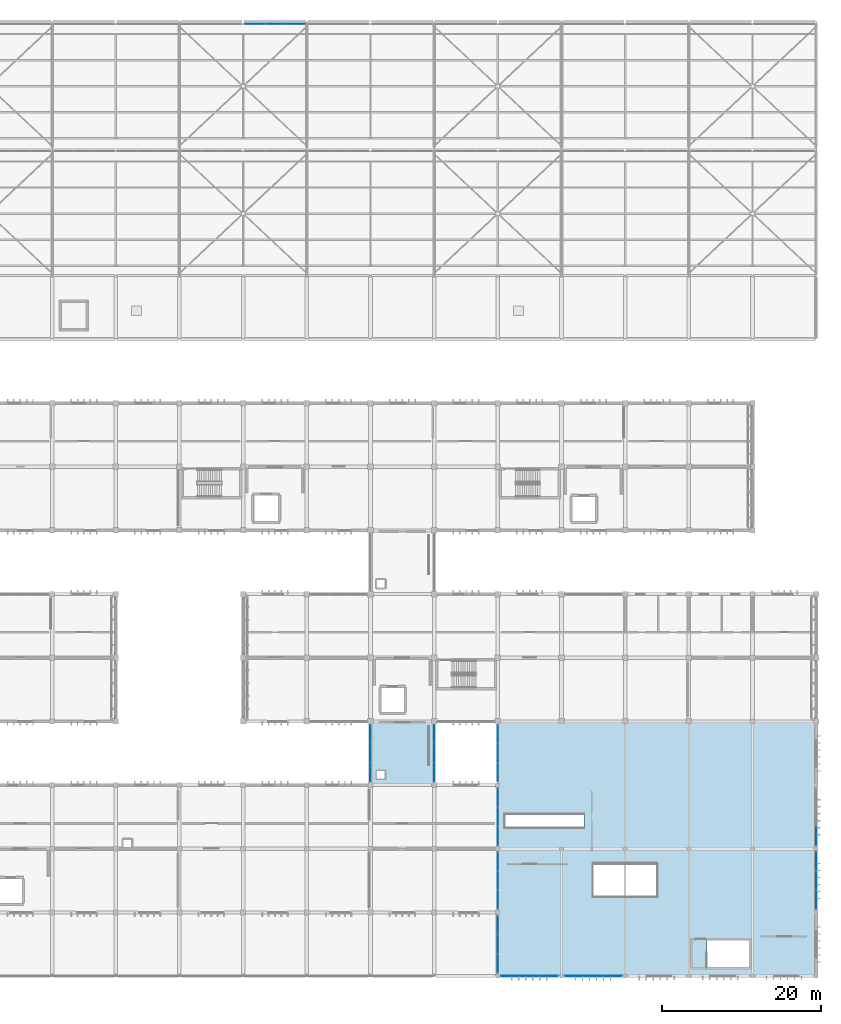
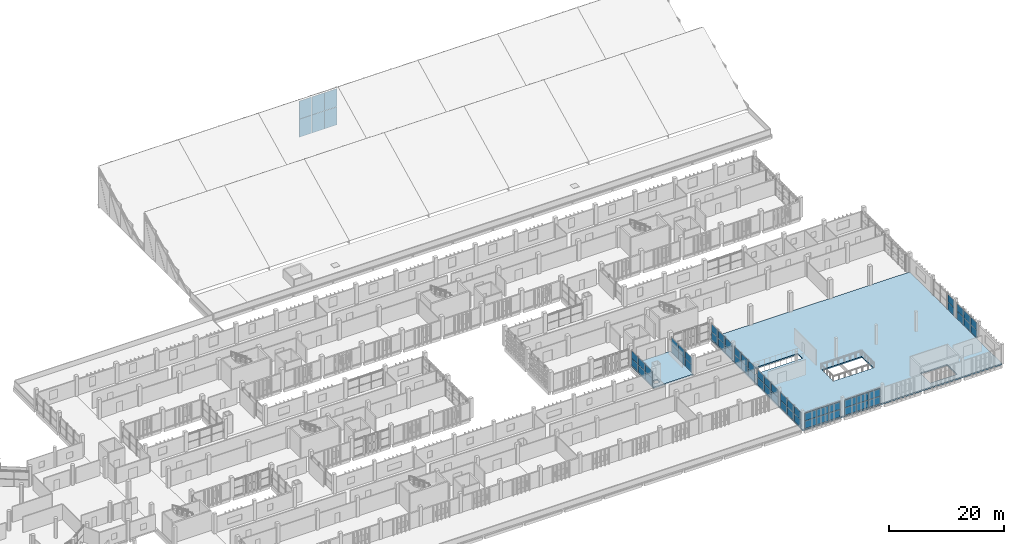
# One storey, part 95 of 137: 62 plates, 2 slabs, 11 elements without a shape of their own.
"""IFC4 building model written with IfcOpenShell, lengths in metres."""

from ifc_helpers import new_model, si_unit, direction, frame, origin, origin_2d, place, context, subcontext, project, spatial, polyline, rectangle, outline, extrude, material, layer, layer_set, type_object, element, aggregate, save


model = new_model("IFC4")

# Units and contexts
model_context = context("Model", 3, precision=1e-05, world=origin(), true_north=direction((0.0, 1.0)))
body_context = subcontext(model_context, "Body", "Model", "MODEL_VIEW")
ifc_project = project(units=[si_unit("LENGTHUNIT", "METRE"), si_unit("AREAUNIT", "SQUARE_METRE"), si_unit("VOLUMEUNIT", "CUBIC_METRE"), si_unit("PLANEANGLEUNIT", "RADIAN"), si_unit("MASSUNIT", "GRAM", prefix="KILO")], contexts=[model_context])

# Site, building, storey
site_placement = place(None, origin())
site = spatial("IfcSite", under=ifc_project, at=site_placement, CompositionType="ELEMENT")
building_placement = place(site_placement, origin())
building = spatial("IfcBuilding", under=site, at=building_placement, Name="Jelvoka-Kovrelna Polytechnic", CompositionType="ELEMENT")
storey_placement = place(building_placement, frame((0.0, 0.0, 9.60009765625)))
storey = spatial("IfcBuildingStorey", under=building, at=storey_placement, Name="L03", CompositionType="ELEMENT", Elevation=9.60009765625)

# Curtain wall, plates
ifc_material_1 = material(Name="Anodised aluminium 6063-T6", Category="aluminium")
ifc_layer_1 = layer(ifc_material_1, 0.199951171875)
ifc_layer_set_1 = layer_set([ifc_layer_1], Name="Anodised aluminium 6063-T6")
curtain_wall_type_1 = type_object("IfcCurtainWallType", Name="CW_Clerestory", PredefinedType="NOTDEFINED", material=ifc_layer_set_1)
curtain_wall_1_placement = place(storey_placement, origin())
curtain_wall_1 = element("IfcCurtainWall", 1, at=curtain_wall_1_placement, inside=storey, type_object=curtain_wall_type_1, Name="L03 glazed curtain wall 194", PredefinedType="NOTDEFINED")
ifc_material_2 = material(Name="Solar-control double glazing", Category="glass")
ifc_layer_2 = layer(ifc_material_2, 0.035888671875)
ifc_layer_set_2 = layer_set([ifc_layer_2], Name="Solar-control double glazing")
plate_type_1 = type_object("IfcPlateType", Name="Panel_GP-03", PredefinedType="CURTAIN_PANEL", material=ifc_layer_set_2)
plate_1_placement = place(storey_placement, frame((129.450927734375, 119.64990234375, 0.511962890625), z_axis=(0.0, 0.0, 1.0), x_axis=(1.0, 0.0, 0.0)))
plate_1 = element("IfcPlate", 2, at=plate_1_placement, type_object=plate_type_1, Name="CW-03 panel 1.1", PredefinedType="CURTAIN_PANEL", context=body_context, shape_type="SweptSolid", body=[
    extrude(rectangle(XDim=2.477783203125, YDim=0.035888671875, at=origin_2d()), origin(), (0.0, 0.0, 1.0), 3.81103515625),
])
plate_2_placement = place(storey_placement, frame((129.450927734375, 119.64990234375, 4.376953125), z_axis=(0.0, 0.0, 1.0), x_axis=(1.0, 0.0, 0.0)))
plate_2 = element("IfcPlate", 3, at=plate_2_placement, type_object=plate_type_1, Name="CW-03 panel 1.2", PredefinedType="CURTAIN_PANEL", context=body_context, shape_type="SweptSolid", body=[
    extrude(rectangle(XDim=2.477783203125, YDim=0.035888671875, at=origin_2d()), origin(), (0.0, 0.0, 1.0), 3.81103515625),
])
plate_3_placement = place(storey_placement, frame((132.0, 119.64990234375, 0.511962890625), z_axis=(0.0, 0.0, 1.0), x_axis=(1.0, 0.0, 0.0)))
plate_3 = element("IfcPlate", 4, at=plate_3_placement, type_object=plate_type_1, Name="CW-03 panel 2.1", PredefinedType="CURTAIN_PANEL", context=body_context, shape_type="SweptSolid", body=[
    extrude(rectangle(XDim=2.5126953125, YDim=0.035888671875, at=origin_2d()), origin(), (0.0, 0.0, 1.0), 3.81103515625),
])
plate_4_placement = place(storey_placement, frame((132.0, 119.64990234375, 4.376953125), z_axis=(0.0, 0.0, 1.0), x_axis=(1.0, 0.0, 0.0)))
plate_4 = element("IfcPlate", 5, at=plate_4_placement, type_object=plate_type_1, Name="CW-03 panel 2.2", PredefinedType="CURTAIN_PANEL", context=body_context, shape_type="SweptSolid", body=[
    extrude(rectangle(XDim=2.5126953125, YDim=0.035888671875, at=origin_2d()), origin(), (0.0, 0.0, 1.0), 3.81103515625),
])
plate_5_placement = place(storey_placement, frame((134.549072265625, 119.64990234375, 0.511962890625), z_axis=(0.0, 0.0, 1.0), x_axis=(1.0, 0.0, 0.0)))
plate_5 = element("IfcPlate", 6, at=plate_5_placement, type_object=plate_type_1, Name="CW-03 panel 3.1", PredefinedType="CURTAIN_PANEL", context=body_context, shape_type="SweptSolid", body=[
    extrude(rectangle(XDim=2.477783203125, YDim=0.035888671875, at=origin_2d()), origin(), (0.0, 0.0, 1.0), 3.81103515625),
])
plate_6_placement = place(storey_placement, frame((134.549072265625, 119.64990234375, 4.376953125), z_axis=(0.0, 0.0, 1.0), x_axis=(1.0, 0.0, 0.0)))
plate_6 = element("IfcPlate", 7, at=plate_6_placement, type_object=plate_type_1, Name="CW-03 panel 3.2", PredefinedType="CURTAIN_PANEL", context=body_context, shape_type="SweptSolid", body=[
    extrude(rectangle(XDim=2.477783203125, YDim=0.035888671875, at=origin_2d()), origin(), (0.0, 0.0, 1.0), 3.81103515625),
])
aggregate(curtain_wall_1, [plate_1, plate_2, plate_3, plate_4, plate_5, plate_6])

ifc_material_3 = material(Name="Anodised aluminium 6063-T6", Category="aluminium")
ifc_layer_3 = layer(ifc_material_3, 0.159912109375)
ifc_layer_set_3 = layer_set([ifc_layer_3], Name="Anodised aluminium 6063-T6")
curtain_wall_type_2 = type_object("IfcCurtainWallType", Name="CW_LinkBridge", PredefinedType="NOTDEFINED", material=ifc_layer_set_3)
curtain_wall_2_placement = place(storey_placement, origin())
curtain_wall_2 = element("IfcCurtainWall", 8, at=curtain_wall_2_placement, inside=storey, type_object=curtain_wall_type_2, Name="L03 glazed curtain wall 126", PredefinedType="NOTDEFINED")
ifc_material_4 = material(Name="Solar-control double glazing", Category="glass")
ifc_layer_4 = layer(ifc_material_4, 0.02392578125)
ifc_layer_set_4 = layer_set([ifc_layer_4], Name="Solar-control double glazing")
plate_type_2 = type_object("IfcPlateType", Name="Panel_GP-04", PredefinedType="CURTAIN_PANEL", material=ifc_layer_set_4)
plate_7_placement = place(storey_placement, frame((144.0, 25.614990234375, 0.0517578125), z_axis=(0.0, 0.0, 1.0), x_axis=(0.0, 1.0, 0.0)))
plate_7 = element("IfcPlate", 9, at=plate_7_placement, type_object=plate_type_2, Name="CW-04 panel 1.1", PredefinedType="CURTAIN_PANEL", context=body_context, shape_type="SweptSolid", body=[
    extrude(rectangle(XDim=2.326171875, YDim=0.02392578125, at=origin_2d()), origin(), (0.0, 0.0, 1.0), 1.53857421875),
])
plate_8_placement = place(storey_placement, frame((144.0, 25.614990234375, 1.63427734375), z_axis=(0.0, 0.0, 1.0), x_axis=(0.0, 1.0, 0.0)))
plate_8 = element("IfcPlate", 10, at=plate_8_placement, type_object=plate_type_2, Name="CW-04 panel 1.2", PredefinedType="CURTAIN_PANEL", context=body_context, shape_type="SweptSolid", body=[
    extrude(rectangle(XDim=2.326171875, YDim=0.02392578125, at=origin_2d()), origin(), (0.0, 0.0, 1.0), 1.53857421875),
])
plate_9_placement = place(storey_placement, frame((144.0, 28.0, 0.0517578125), z_axis=(0.0, 0.0, 1.0), x_axis=(0.0, 1.0, 0.0)))
plate_9 = element("IfcPlate", 11, at=plate_9_placement, type_object=plate_type_2, Name="CW-04 panel 2.1", PredefinedType="CURTAIN_PANEL", context=body_context, shape_type="SweptSolid", body=[
    extrude(rectangle(XDim=2.356201171875, YDim=0.02392578125, at=origin_2d()), origin(), (0.0, 0.0, 1.0), 1.53857421875),
])
plate_10_placement = place(storey_placement, frame((144.0, 28.0, 1.63427734375), z_axis=(0.0, 0.0, 1.0), x_axis=(0.0, 1.0, 0.0)))
plate_10 = element("IfcPlate", 12, at=plate_10_placement, type_object=plate_type_2, Name="CW-04 panel 2.2", PredefinedType="CURTAIN_PANEL", context=body_context, shape_type="SweptSolid", body=[
    extrude(rectangle(XDim=2.356201171875, YDim=0.02392578125, at=origin_2d()), origin(), (0.0, 0.0, 1.0), 1.53857421875),
])
plate_11_placement = place(storey_placement, frame((144.0, 30.385009765625, 0.0517578125), z_axis=(0.0, 0.0, 1.0), x_axis=(0.0, 1.0, 0.0)))
plate_11 = element("IfcPlate", 13, at=plate_11_placement, type_object=plate_type_2, Name="CW-04 panel 3.1", PredefinedType="CURTAIN_PANEL", context=body_context, shape_type="SweptSolid", body=[
    extrude(rectangle(XDim=2.326171875, YDim=0.02392578125, at=origin_2d()), origin(), (0.0, 0.0, 1.0), 1.53857421875),
])
plate_12_placement = place(storey_placement, frame((144.0, 30.385009765625, 1.63427734375), z_axis=(0.0, 0.0, 1.0), x_axis=(0.0, 1.0, 0.0)))
plate_12 = element("IfcPlate", 14, at=plate_12_placement, type_object=plate_type_2, Name="CW-04 panel 3.2", PredefinedType="CURTAIN_PANEL", context=body_context, shape_type="SweptSolid", body=[
    extrude(rectangle(XDim=2.326171875, YDim=0.02392578125, at=origin_2d()), origin(), (0.0, 0.0, 1.0), 1.53857421875),
])
aggregate(curtain_wall_2, [plate_7, plate_8, plate_9, plate_10, plate_11, plate_12])

curtain_wall_3_placement = place(storey_placement, origin())
curtain_wall_3 = element("IfcCurtainWall", 15, at=curtain_wall_3_placement, inside=storey, type_object=curtain_wall_type_2, Name="L03 glazed curtain wall 127", PredefinedType="NOTDEFINED")
plate_13_placement = place(storey_placement, frame((152.0, 30.385009765625, 0.0517578125), z_axis=(0.0, 0.0, 1.0), x_axis=(0.0, -1.0, 0.0)))
plate_13 = element("IfcPlate", 16, at=plate_13_placement, type_object=plate_type_2, Name="CW-04 panel 1.1", PredefinedType="CURTAIN_PANEL", context=body_context, shape_type="SweptSolid", body=[
    extrude(rectangle(XDim=2.326171875, YDim=0.02392578125, at=origin_2d()), origin(), (0.0, 0.0, 1.0), 1.53857421875),
])
plate_14_placement = place(storey_placement, frame((152.0, 30.385009765625, 1.63427734375), z_axis=(0.0, 0.0, 1.0), x_axis=(0.0, -1.0, 0.0)))
plate_14 = element("IfcPlate", 17, at=plate_14_placement, type_object=plate_type_2, Name="CW-04 panel 1.2", PredefinedType="CURTAIN_PANEL", context=body_context, shape_type="SweptSolid", body=[
    extrude(rectangle(XDim=2.326171875, YDim=0.02392578125, at=origin_2d()), origin(), (0.0, 0.0, 1.0), 1.53857421875),
])
plate_15_placement = place(storey_placement, frame((152.0, 28.0, 0.0517578125), z_axis=(0.0, 0.0, 1.0), x_axis=(0.0, -1.0, 0.0)))
plate_15 = element("IfcPlate", 18, at=plate_15_placement, type_object=plate_type_2, Name="CW-04 panel 2.1", PredefinedType="CURTAIN_PANEL", context=body_context, shape_type="SweptSolid", body=[
    extrude(rectangle(XDim=2.356201171875, YDim=0.02392578125, at=origin_2d()), origin(), (0.0, 0.0, 1.0), 1.53857421875),
])
plate_16_placement = place(storey_placement, frame((152.0, 28.0, 1.63427734375), z_axis=(0.0, 0.0, 1.0), x_axis=(0.0, -1.0, 0.0)))
plate_16 = element("IfcPlate", 19, at=plate_16_placement, type_object=plate_type_2, Name="CW-04 panel 2.2", PredefinedType="CURTAIN_PANEL", context=body_context, shape_type="SweptSolid", body=[
    extrude(rectangle(XDim=2.356201171875, YDim=0.02392578125, at=origin_2d()), origin(), (0.0, 0.0, 1.0), 1.53857421875),
])
plate_17_placement = place(storey_placement, frame((152.0, 25.614990234375, 0.0517578125), z_axis=(0.0, 0.0, 1.0), x_axis=(0.0, -1.0, 0.0)))
plate_17 = element("IfcPlate", 20, at=plate_17_placement, type_object=plate_type_2, Name="CW-04 panel 3.1", PredefinedType="CURTAIN_PANEL", context=body_context, shape_type="SweptSolid", body=[
    extrude(rectangle(XDim=2.326171875, YDim=0.02392578125, at=origin_2d()), origin(), (0.0, 0.0, 1.0), 1.53857421875),
])
plate_18_placement = place(storey_placement, frame((152.0, 25.614990234375, 1.63427734375), z_axis=(0.0, 0.0, 1.0), x_axis=(0.0, -1.0, 0.0)))
plate_18 = element("IfcPlate", 21, at=plate_18_placement, type_object=plate_type_2, Name="CW-04 panel 3.2", PredefinedType="CURTAIN_PANEL", context=body_context, shape_type="SweptSolid", body=[
    extrude(rectangle(XDim=2.326171875, YDim=0.02392578125, at=origin_2d()), origin(), (0.0, 0.0, 1.0), 1.53857421875),
])
aggregate(curtain_wall_3, [plate_13, plate_14, plate_15, plate_16, plate_17, plate_18])

ifc_material_5 = material(Name="Anodised aluminium 6063-T6", Category="aluminium")
ifc_layer_5 = layer(ifc_material_5, 0.179931640625)
ifc_layer_set_5 = layer_set([ifc_layer_5], Name="Anodised aluminium 6063-T6")
curtain_wall_type_3 = type_object("IfcCurtainWallType", Name="CW_Pavilion", PredefinedType="NOTDEFINED", material=ifc_layer_set_5)
curtain_wall_4_placement = place(storey_placement, origin())
curtain_wall_4 = element("IfcCurtainWall", 22, at=curtain_wall_4_placement, inside=storey, type_object=curtain_wall_type_3, Name="L03 glazed curtain wall 290", PredefinedType="NOTDEFINED")
ifc_material_6 = material(Name="Solar-control double glazing", Category="glass")
ifc_layer_6 = layer(ifc_material_6, 0.030029296875)
ifc_layer_set_6 = layer_set([ifc_layer_6], Name="Solar-control double glazing")
plate_type_3 = type_object("IfcPlateType", Name="Panel_GP-05", PredefinedType="CURTAIN_PANEL", material=ifc_layer_set_6)
plate_19_placement = place(storey_placement, frame((166.3837890625, 0.0, 0.056884765625), z_axis=(0.0, 0.0, 1.0), x_axis=(-1.0, 0.0, 0.0)))
plate_19 = element("IfcPlate", 23, at=plate_19_placement, type_object=plate_type_3, Name="CW-05 panel 1.1", PredefinedType="CURTAIN_PANEL", context=body_context, shape_type="SweptSolid", body=[
    extrude(rectangle(XDim=2.318603515625, YDim=0.030029296875, at=origin_2d()), origin(), (0.0, 0.0, 1.0), 1.593505859375),
])
plate_20_placement = place(storey_placement, frame((166.3837890625, 0.0, 1.699462890625), z_axis=(0.0, 0.0, 1.0), x_axis=(-1.0, 0.0, 0.0)))
plate_20 = element("IfcPlate", 24, at=plate_20_placement, type_object=plate_type_3, Name="CW-05 panel 1.2", PredefinedType="CURTAIN_PANEL", context=body_context, shape_type="SweptSolid", body=[
    extrude(rectangle(XDim=2.318603515625, YDim=0.030029296875, at=origin_2d()), origin(), (0.0, 0.0, 1.0), 1.593505859375),
])
plate_21_placement = place(storey_placement, frame((164.0, 0.0, 0.056884765625), z_axis=(0.0, 0.0, 1.0), x_axis=(-1.0, 0.0, 0.0)))
plate_21 = element("IfcPlate", 25, at=plate_21_placement, type_object=plate_type_3, Name="CW-05 panel 2.1", PredefinedType="CURTAIN_PANEL", context=body_context, shape_type="SweptSolid", body=[
    extrude(rectangle(XDim=2.35107421875, YDim=0.030029296875, at=origin_2d()), origin(), (0.0, 0.0, 1.0), 1.593505859375),
])
plate_22_placement = place(storey_placement, frame((164.0, 0.0, 1.699462890625), z_axis=(0.0, 0.0, 1.0), x_axis=(-1.0, 0.0, 0.0)))
plate_22 = element("IfcPlate", 26, at=plate_22_placement, type_object=plate_type_3, Name="CW-05 panel 2.2", PredefinedType="CURTAIN_PANEL", context=body_context, shape_type="SweptSolid", body=[
    extrude(rectangle(XDim=2.35107421875, YDim=0.030029296875, at=origin_2d()), origin(), (0.0, 0.0, 1.0), 1.593505859375),
])
plate_23_placement = place(storey_placement, frame((161.6162109375, 0.0, 0.056884765625), z_axis=(0.0, 0.0, 1.0), x_axis=(-1.0, 0.0, 0.0)))
plate_23 = element("IfcPlate", 27, at=plate_23_placement, type_object=plate_type_3, Name="CW-05 panel 3.1", PredefinedType="CURTAIN_PANEL", context=body_context, shape_type="SweptSolid", body=[
    extrude(rectangle(XDim=2.318603515625, YDim=0.030029296875, at=origin_2d()), origin(), (0.0, 0.0, 1.0), 1.593505859375),
])
plate_24_placement = place(storey_placement, frame((161.6162109375, 0.0, 1.699462890625), z_axis=(0.0, 0.0, 1.0), x_axis=(-1.0, 0.0, 0.0)))
plate_24 = element("IfcPlate", 28, at=plate_24_placement, type_object=plate_type_3, Name="CW-05 panel 3.2", PredefinedType="CURTAIN_PANEL", context=body_context, shape_type="SweptSolid", body=[
    extrude(rectangle(XDim=2.318603515625, YDim=0.030029296875, at=origin_2d()), origin(), (0.0, 0.0, 1.0), 1.593505859375),
])
aggregate(curtain_wall_4, [plate_19, plate_20, plate_21, plate_22, plate_23, plate_24])

curtain_wall_5_placement = place(storey_placement, origin())
curtain_wall_5 = element("IfcCurtainWall", 29, at=curtain_wall_5_placement, inside=storey, type_object=curtain_wall_type_3, Name="L03 glazed curtain wall 291", PredefinedType="NOTDEFINED")
plate_25_placement = place(storey_placement, frame((174.3837890625, 0.0, 0.056884765625), z_axis=(0.0, 0.0, 1.0), x_axis=(-1.0, 0.0, 0.0)))
plate_25 = element("IfcPlate", 30, at=plate_25_placement, type_object=plate_type_3, Name="CW-05 panel 1.1", PredefinedType="CURTAIN_PANEL", context=body_context, shape_type="SweptSolid", body=[
    extrude(rectangle(XDim=2.318603515625, YDim=0.030029296875, at=origin_2d()), origin(), (0.0, 0.0, 1.0), 1.593505859375),
])
plate_26_placement = place(storey_placement, frame((174.3837890625, 0.0, 1.699462890625), z_axis=(0.0, 0.0, 1.0), x_axis=(-1.0, 0.0, 0.0)))
plate_26 = element("IfcPlate", 31, at=plate_26_placement, type_object=plate_type_3, Name="CW-05 panel 1.2", PredefinedType="CURTAIN_PANEL", context=body_context, shape_type="SweptSolid", body=[
    extrude(rectangle(XDim=2.318603515625, YDim=0.030029296875, at=origin_2d()), origin(), (0.0, 0.0, 1.0), 1.593505859375),
])
plate_27_placement = place(storey_placement, frame((172.0, 0.0, 0.056884765625), z_axis=(0.0, 0.0, 1.0), x_axis=(-1.0, 0.0, 0.0)))
plate_27 = element("IfcPlate", 32, at=plate_27_placement, type_object=plate_type_3, Name="CW-05 panel 2.1", PredefinedType="CURTAIN_PANEL", context=body_context, shape_type="SweptSolid", body=[
    extrude(rectangle(XDim=2.35107421875, YDim=0.030029296875, at=origin_2d()), origin(), (0.0, 0.0, 1.0), 1.593505859375),
])
plate_28_placement = place(storey_placement, frame((172.0, 0.0, 1.699462890625), z_axis=(0.0, 0.0, 1.0), x_axis=(-1.0, 0.0, 0.0)))
plate_28 = element("IfcPlate", 33, at=plate_28_placement, type_object=plate_type_3, Name="CW-05 panel 2.2", PredefinedType="CURTAIN_PANEL", context=body_context, shape_type="SweptSolid", body=[
    extrude(rectangle(XDim=2.35107421875, YDim=0.030029296875, at=origin_2d()), origin(), (0.0, 0.0, 1.0), 1.593505859375),
])
plate_29_placement = place(storey_placement, frame((169.6162109375, 0.0, 0.056884765625), z_axis=(0.0, 0.0, 1.0), x_axis=(-1.0, 0.0, 0.0)))
plate_29 = element("IfcPlate", 34, at=plate_29_placement, type_object=plate_type_3, Name="CW-05 panel 3.1", PredefinedType="CURTAIN_PANEL", context=body_context, shape_type="SweptSolid", body=[
    extrude(rectangle(XDim=2.318603515625, YDim=0.030029296875, at=origin_2d()), origin(), (0.0, 0.0, 1.0), 1.593505859375),
])
plate_30_placement = place(storey_placement, frame((169.6162109375, 0.0, 1.699462890625), z_axis=(0.0, 0.0, 1.0), x_axis=(-1.0, 0.0, 0.0)))
plate_30 = element("IfcPlate", 35, at=plate_30_placement, type_object=plate_type_3, Name="CW-05 panel 3.2", PredefinedType="CURTAIN_PANEL", context=body_context, shape_type="SweptSolid", body=[
    extrude(rectangle(XDim=2.318603515625, YDim=0.030029296875, at=origin_2d()), origin(), (0.0, 0.0, 1.0), 1.593505859375),
])
aggregate(curtain_wall_5, [plate_25, plate_26, plate_27, plate_28, plate_29, plate_30])

curtain_wall_6_placement = place(storey_placement, origin())
curtain_wall_6 = element("IfcCurtainWall", 36, at=curtain_wall_6_placement, inside=storey, type_object=curtain_wall_type_3, Name="L03 glazed curtain wall 292", PredefinedType="NOTDEFINED")
plate_31_placement = place(storey_placement, frame((200.0, 14.3837890625, 0.056884765625), z_axis=(0.0, 0.0, 1.0), x_axis=(0.0, -1.0, 0.0)))
plate_31 = element("IfcPlate", 37, at=plate_31_placement, type_object=plate_type_3, Name="CW-05 panel 1.1", PredefinedType="CURTAIN_PANEL", context=body_context, shape_type="SweptSolid", body=[
    extrude(rectangle(XDim=2.318603515625, YDim=0.030029296875, at=origin_2d()), origin(), (0.0, 0.0, 1.0), 1.593505859375),
])
plate_32_placement = place(storey_placement, frame((200.0, 14.3837890625, 1.699462890625), z_axis=(0.0, 0.0, 1.0), x_axis=(0.0, -1.0, 0.0)))
plate_32 = element("IfcPlate", 38, at=plate_32_placement, type_object=plate_type_3, Name="CW-05 panel 1.2", PredefinedType="CURTAIN_PANEL", context=body_context, shape_type="SweptSolid", body=[
    extrude(rectangle(XDim=2.318603515625, YDim=0.030029296875, at=origin_2d()), origin(), (0.0, 0.0, 1.0), 1.593505859375),
])
plate_33_placement = place(storey_placement, frame((200.0, 12.0, 0.056884765625), z_axis=(0.0, 0.0, 1.0), x_axis=(0.0, -1.0, 0.0)))
plate_33 = element("IfcPlate", 39, at=plate_33_placement, type_object=plate_type_3, Name="CW-05 panel 2.1", PredefinedType="CURTAIN_PANEL", context=body_context, shape_type="SweptSolid", body=[
    extrude(rectangle(XDim=2.35107421875, YDim=0.030029296875, at=origin_2d()), origin(), (0.0, 0.0, 1.0), 1.593505859375),
])
plate_34_placement = place(storey_placement, frame((200.0, 12.0, 1.699462890625), z_axis=(0.0, 0.0, 1.0), x_axis=(0.0, -1.0, 0.0)))
plate_34 = element("IfcPlate", 40, at=plate_34_placement, type_object=plate_type_3, Name="CW-05 panel 2.2", PredefinedType="CURTAIN_PANEL", context=body_context, shape_type="SweptSolid", body=[
    extrude(rectangle(XDim=2.35107421875, YDim=0.030029296875, at=origin_2d()), origin(), (0.0, 0.0, 1.0), 1.593505859375),
])
plate_35_placement = place(storey_placement, frame((200.0, 9.6162109375, 0.056884765625), z_axis=(0.0, 0.0, 1.0), x_axis=(0.0, -1.0, 0.0)))
plate_35 = element("IfcPlate", 41, at=plate_35_placement, type_object=plate_type_3, Name="CW-05 panel 3.1", PredefinedType="CURTAIN_PANEL", context=body_context, shape_type="SweptSolid", body=[
    extrude(rectangle(XDim=2.318603515625, YDim=0.030029296875, at=origin_2d()), origin(), (0.0, 0.0, 1.0), 1.593505859375),
])
plate_36_placement = place(storey_placement, frame((200.0, 9.6162109375, 1.699462890625), z_axis=(0.0, 0.0, 1.0), x_axis=(0.0, -1.0, 0.0)))
plate_36 = element("IfcPlate", 42, at=plate_36_placement, type_object=plate_type_3, Name="CW-05 panel 3.2", PredefinedType="CURTAIN_PANEL", context=body_context, shape_type="SweptSolid", body=[
    extrude(rectangle(XDim=2.318603515625, YDim=0.030029296875, at=origin_2d()), origin(), (0.0, 0.0, 1.0), 1.593505859375),
])
aggregate(curtain_wall_6, [plate_31, plate_32, plate_33, plate_34, plate_35, plate_36])

curtain_wall_7_placement = place(storey_placement, origin())
curtain_wall_7 = element("IfcCurtainWall", 43, at=curtain_wall_7_placement, inside=storey, type_object=curtain_wall_type_3, Name="L03 glazed curtain wall 293", PredefinedType="NOTDEFINED")
plate_37_placement = place(storey_placement, frame((200.0, 17.6162109375, 0.056884765625), z_axis=(0.0, 0.0, 1.0), x_axis=(0.0, -1.0, 0.0)))
plate_37 = element("IfcPlate", 44, at=plate_37_placement, type_object=plate_type_3, Name="CW-05 panel 3.1", PredefinedType="CURTAIN_PANEL", context=body_context, shape_type="SweptSolid", body=[
    extrude(rectangle(XDim=2.318603515625, YDim=0.030029296875, at=origin_2d()), origin(), (0.0, 0.0, 1.0), 1.593505859375),
])
plate_38_placement = place(storey_placement, frame((200.0, 17.6162109375, 1.699462890625), z_axis=(0.0, 0.0, 1.0), x_axis=(0.0, -1.0, 0.0)))
plate_38 = element("IfcPlate", 45, at=plate_38_placement, type_object=plate_type_3, Name="CW-05 panel 3.2", PredefinedType="CURTAIN_PANEL", context=body_context, shape_type="SweptSolid", body=[
    extrude(rectangle(XDim=2.318603515625, YDim=0.030029296875, at=origin_2d()), origin(), (0.0, 0.0, 1.0), 1.593505859375),
])
aggregate(curtain_wall_7, [plate_37, plate_38])

curtain_wall_8_placement = place(storey_placement, origin())
curtain_wall_8 = element("IfcCurtainWall", 46, at=curtain_wall_8_placement, inside=storey, type_object=curtain_wall_type_3, Name="L03 glazed curtain wall 294", PredefinedType="NOTDEFINED")
plate_39_placement = place(storey_placement, frame((160.0, 1.6162109375, 0.056884765625), z_axis=(0.0, 0.0, 1.0), x_axis=(0.0, 1.0, 0.0)))
plate_39 = element("IfcPlate", 47, at=plate_39_placement, type_object=plate_type_3, Name="CW-05 panel 1.1", PredefinedType="CURTAIN_PANEL", context=body_context, shape_type="SweptSolid", body=[
    extrude(rectangle(XDim=2.318603515625, YDim=0.030029296875, at=origin_2d()), origin(), (0.0, 0.0, 1.0), 1.593505859375),
])
plate_40_placement = place(storey_placement, frame((160.0, 1.6162109375, 1.699462890625), z_axis=(0.0, 0.0, 1.0), x_axis=(0.0, 1.0, 0.0)))
plate_40 = element("IfcPlate", 48, at=plate_40_placement, type_object=plate_type_3, Name="CW-05 panel 1.2", PredefinedType="CURTAIN_PANEL", context=body_context, shape_type="SweptSolid", body=[
    extrude(rectangle(XDim=2.318603515625, YDim=0.030029296875, at=origin_2d()), origin(), (0.0, 0.0, 1.0), 1.593505859375),
])
plate_41_placement = place(storey_placement, frame((160.0, 4.0, 0.056884765625), z_axis=(0.0, 0.0, 1.0), x_axis=(0.0, 1.0, 0.0)))
plate_41 = element("IfcPlate", 49, at=plate_41_placement, type_object=plate_type_3, Name="CW-05 panel 2.1", PredefinedType="CURTAIN_PANEL", context=body_context, shape_type="SweptSolid", body=[
    extrude(rectangle(XDim=2.35107421875, YDim=0.030029296875, at=origin_2d()), origin(), (0.0, 0.0, 1.0), 1.593505859375),
])
plate_42_placement = place(storey_placement, frame((160.0, 4.0, 1.699462890625), z_axis=(0.0, 0.0, 1.0), x_axis=(0.0, 1.0, 0.0)))
plate_42 = element("IfcPlate", 50, at=plate_42_placement, type_object=plate_type_3, Name="CW-05 panel 2.2", PredefinedType="CURTAIN_PANEL", context=body_context, shape_type="SweptSolid", body=[
    extrude(rectangle(XDim=2.35107421875, YDim=0.030029296875, at=origin_2d()), origin(), (0.0, 0.0, 1.0), 1.593505859375),
])
plate_43_placement = place(storey_placement, frame((160.0, 6.3837890625, 0.056884765625), z_axis=(0.0, 0.0, 1.0), x_axis=(0.0, 1.0, 0.0)))
plate_43 = element("IfcPlate", 51, at=plate_43_placement, type_object=plate_type_3, Name="CW-05 panel 3.1", PredefinedType="CURTAIN_PANEL", context=body_context, shape_type="SweptSolid", body=[
    extrude(rectangle(XDim=2.318603515625, YDim=0.030029296875, at=origin_2d()), origin(), (0.0, 0.0, 1.0), 1.593505859375),
])
plate_44_placement = place(storey_placement, frame((160.0, 6.3837890625, 1.699462890625), z_axis=(0.0, 0.0, 1.0), x_axis=(0.0, 1.0, 0.0)))
plate_44 = element("IfcPlate", 52, at=plate_44_placement, type_object=plate_type_3, Name="CW-05 panel 3.2", PredefinedType="CURTAIN_PANEL", context=body_context, shape_type="SweptSolid", body=[
    extrude(rectangle(XDim=2.318603515625, YDim=0.030029296875, at=origin_2d()), origin(), (0.0, 0.0, 1.0), 1.593505859375),
])
aggregate(curtain_wall_8, [plate_39, plate_40, plate_41, plate_42, plate_43, plate_44])

curtain_wall_9_placement = place(storey_placement, origin())
curtain_wall_9 = element("IfcCurtainWall", 53, at=curtain_wall_9_placement, inside=storey, type_object=curtain_wall_type_3, Name="L03 glazed curtain wall 295", PredefinedType="NOTDEFINED")
plate_45_placement = place(storey_placement, frame((160.0, 9.6162109375, 0.056884765625), z_axis=(0.0, 0.0, 1.0), x_axis=(0.0, 1.0, 0.0)))
plate_45 = element("IfcPlate", 54, at=plate_45_placement, type_object=plate_type_3, Name="CW-05 panel 1.1", PredefinedType="CURTAIN_PANEL", context=body_context, shape_type="SweptSolid", body=[
    extrude(rectangle(XDim=2.318603515625, YDim=0.030029296875, at=origin_2d()), origin(), (0.0, 0.0, 1.0), 1.593505859375),
])
plate_46_placement = place(storey_placement, frame((160.0, 9.6162109375, 1.699462890625), z_axis=(0.0, 0.0, 1.0), x_axis=(0.0, 1.0, 0.0)))
plate_46 = element("IfcPlate", 55, at=plate_46_placement, type_object=plate_type_3, Name="CW-05 panel 1.2", PredefinedType="CURTAIN_PANEL", context=body_context, shape_type="SweptSolid", body=[
    extrude(rectangle(XDim=2.318603515625, YDim=0.030029296875, at=origin_2d()), origin(), (0.0, 0.0, 1.0), 1.593505859375),
])
plate_47_placement = place(storey_placement, frame((160.0, 12.0, 0.056884765625), z_axis=(0.0, 0.0, 1.0), x_axis=(0.0, 1.0, 0.0)))
plate_47 = element("IfcPlate", 56, at=plate_47_placement, type_object=plate_type_3, Name="CW-05 panel 2.1", PredefinedType="CURTAIN_PANEL", context=body_context, shape_type="SweptSolid", body=[
    extrude(rectangle(XDim=2.35107421875, YDim=0.030029296875, at=origin_2d()), origin(), (0.0, 0.0, 1.0), 1.593505859375),
])
plate_48_placement = place(storey_placement, frame((160.0, 12.0, 1.699462890625), z_axis=(0.0, 0.0, 1.0), x_axis=(0.0, 1.0, 0.0)))
plate_48 = element("IfcPlate", 57, at=plate_48_placement, type_object=plate_type_3, Name="CW-05 panel 2.2", PredefinedType="CURTAIN_PANEL", context=body_context, shape_type="SweptSolid", body=[
    extrude(rectangle(XDim=2.35107421875, YDim=0.030029296875, at=origin_2d()), origin(), (0.0, 0.0, 1.0), 1.593505859375),
])
plate_49_placement = place(storey_placement, frame((160.0, 14.3837890625, 0.056884765625), z_axis=(0.0, 0.0, 1.0), x_axis=(0.0, 1.0, 0.0)))
plate_49 = element("IfcPlate", 58, at=plate_49_placement, type_object=plate_type_3, Name="CW-05 panel 3.1", PredefinedType="CURTAIN_PANEL", context=body_context, shape_type="SweptSolid", body=[
    extrude(rectangle(XDim=2.318603515625, YDim=0.030029296875, at=origin_2d()), origin(), (0.0, 0.0, 1.0), 1.593505859375),
])
plate_50_placement = place(storey_placement, frame((160.0, 14.3837890625, 1.699462890625), z_axis=(0.0, 0.0, 1.0), x_axis=(0.0, 1.0, 0.0)))
plate_50 = element("IfcPlate", 59, at=plate_50_placement, type_object=plate_type_3, Name="CW-05 panel 3.2", PredefinedType="CURTAIN_PANEL", context=body_context, shape_type="SweptSolid", body=[
    extrude(rectangle(XDim=2.318603515625, YDim=0.030029296875, at=origin_2d()), origin(), (0.0, 0.0, 1.0), 1.593505859375),
])
aggregate(curtain_wall_9, [plate_45, plate_46, plate_47, plate_48, plate_49, plate_50])

curtain_wall_10_placement = place(storey_placement, origin())
curtain_wall_10 = element("IfcCurtainWall", 60, at=curtain_wall_10_placement, inside=storey, type_object=curtain_wall_type_3, Name="L03 glazed curtain wall 296", PredefinedType="NOTDEFINED")
plate_51_placement = place(storey_placement, frame((160.0, 17.6162109375, 0.056884765625), z_axis=(0.0, 0.0, 1.0), x_axis=(0.0, 1.0, 0.0)))
plate_51 = element("IfcPlate", 61, at=plate_51_placement, type_object=plate_type_3, Name="CW-05 panel 1.1", PredefinedType="CURTAIN_PANEL", context=body_context, shape_type="SweptSolid", body=[
    extrude(rectangle(XDim=2.318603515625, YDim=0.030029296875, at=origin_2d()), origin(), (0.0, 0.0, 1.0), 1.593505859375),
])
plate_52_placement = place(storey_placement, frame((160.0, 17.6162109375, 1.699462890625), z_axis=(0.0, 0.0, 1.0), x_axis=(0.0, 1.0, 0.0)))
plate_52 = element("IfcPlate", 62, at=plate_52_placement, type_object=plate_type_3, Name="CW-05 panel 1.2", PredefinedType="CURTAIN_PANEL", context=body_context, shape_type="SweptSolid", body=[
    extrude(rectangle(XDim=2.318603515625, YDim=0.030029296875, at=origin_2d()), origin(), (0.0, 0.0, 1.0), 1.593505859375),
])
plate_53_placement = place(storey_placement, frame((160.0, 20.0, 0.056884765625), z_axis=(0.0, 0.0, 1.0), x_axis=(0.0, 1.0, 0.0)))
plate_53 = element("IfcPlate", 63, at=plate_53_placement, type_object=plate_type_3, Name="CW-05 panel 2.1", PredefinedType="CURTAIN_PANEL", context=body_context, shape_type="SweptSolid", body=[
    extrude(rectangle(XDim=2.35107421875, YDim=0.030029296875, at=origin_2d()), origin(), (0.0, 0.0, 1.0), 1.593505859375),
])
plate_54_placement = place(storey_placement, frame((160.0, 20.0, 1.699462890625), z_axis=(0.0, 0.0, 1.0), x_axis=(0.0, 1.0, 0.0)))
plate_54 = element("IfcPlate", 64, at=plate_54_placement, type_object=plate_type_3, Name="CW-05 panel 2.2", PredefinedType="CURTAIN_PANEL", context=body_context, shape_type="SweptSolid", body=[
    extrude(rectangle(XDim=2.35107421875, YDim=0.030029296875, at=origin_2d()), origin(), (0.0, 0.0, 1.0), 1.593505859375),
])
plate_55_placement = place(storey_placement, frame((160.0, 22.3837890625, 0.056884765625), z_axis=(0.0, 0.0, 1.0), x_axis=(0.0, 1.0, 0.0)))
plate_55 = element("IfcPlate", 65, at=plate_55_placement, type_object=plate_type_3, Name="CW-05 panel 3.1", PredefinedType="CURTAIN_PANEL", context=body_context, shape_type="SweptSolid", body=[
    extrude(rectangle(XDim=2.318603515625, YDim=0.030029296875, at=origin_2d()), origin(), (0.0, 0.0, 1.0), 1.593505859375),
])
plate_56_placement = place(storey_placement, frame((160.0, 22.3837890625, 1.699462890625), z_axis=(0.0, 0.0, 1.0), x_axis=(0.0, 1.0, 0.0)))
plate_56 = element("IfcPlate", 66, at=plate_56_placement, type_object=plate_type_3, Name="CW-05 panel 3.2", PredefinedType="CURTAIN_PANEL", context=body_context, shape_type="SweptSolid", body=[
    extrude(rectangle(XDim=2.318603515625, YDim=0.030029296875, at=origin_2d()), origin(), (0.0, 0.0, 1.0), 1.593505859375),
])
aggregate(curtain_wall_10, [plate_51, plate_52, plate_53, plate_54, plate_55, plate_56])

curtain_wall_11_placement = place(storey_placement, origin())
curtain_wall_11 = element("IfcCurtainWall", 67, at=curtain_wall_11_placement, inside=storey, type_object=curtain_wall_type_3, Name="L03 glazed curtain wall 297", PredefinedType="NOTDEFINED")
plate_57_placement = place(storey_placement, frame((160.0, 25.6162109375, 0.056884765625), z_axis=(0.0, 0.0, 1.0), x_axis=(0.0, 1.0, 0.0)))
plate_57 = element("IfcPlate", 68, at=plate_57_placement, type_object=plate_type_3, Name="CW-05 panel 1.1", PredefinedType="CURTAIN_PANEL", context=body_context, shape_type="SweptSolid", body=[
    extrude(rectangle(XDim=2.318603515625, YDim=0.030029296875, at=origin_2d()), origin(), (0.0, 0.0, 1.0), 1.593505859375),
])
plate_58_placement = place(storey_placement, frame((160.0, 25.6162109375, 1.699462890625), z_axis=(0.0, 0.0, 1.0), x_axis=(0.0, 1.0, 0.0)))
plate_58 = element("IfcPlate", 69, at=plate_58_placement, type_object=plate_type_3, Name="CW-05 panel 1.2", PredefinedType="CURTAIN_PANEL", context=body_context, shape_type="SweptSolid", body=[
    extrude(rectangle(XDim=2.318603515625, YDim=0.030029296875, at=origin_2d()), origin(), (0.0, 0.0, 1.0), 1.593505859375),
])
plate_59_placement = place(storey_placement, frame((160.0, 28.0, 0.056884765625), z_axis=(0.0, 0.0, 1.0), x_axis=(0.0, 1.0, 0.0)))
plate_59 = element("IfcPlate", 70, at=plate_59_placement, type_object=plate_type_3, Name="CW-05 panel 2.1", PredefinedType="CURTAIN_PANEL", context=body_context, shape_type="SweptSolid", body=[
    extrude(rectangle(XDim=2.35107421875, YDim=0.030029296875, at=origin_2d()), origin(), (0.0, 0.0, 1.0), 1.593505859375),
])
plate_60_placement = place(storey_placement, frame((160.0, 28.0, 1.699462890625), z_axis=(0.0, 0.0, 1.0), x_axis=(0.0, 1.0, 0.0)))
plate_60 = element("IfcPlate", 71, at=plate_60_placement, type_object=plate_type_3, Name="CW-05 panel 2.2", PredefinedType="CURTAIN_PANEL", context=body_context, shape_type="SweptSolid", body=[
    extrude(rectangle(XDim=2.35107421875, YDim=0.030029296875, at=origin_2d()), origin(), (0.0, 0.0, 1.0), 1.593505859375),
])
plate_61_placement = place(storey_placement, frame((160.0, 30.3837890625, 0.056884765625), z_axis=(0.0, 0.0, 1.0), x_axis=(0.0, 1.0, 0.0)))
plate_61 = element("IfcPlate", 72, at=plate_61_placement, type_object=plate_type_3, Name="CW-05 panel 3.1", PredefinedType="CURTAIN_PANEL", context=body_context, shape_type="SweptSolid", body=[
    extrude(rectangle(XDim=2.318603515625, YDim=0.030029296875, at=origin_2d()), origin(), (0.0, 0.0, 1.0), 1.593505859375),
])
plate_62_placement = place(storey_placement, frame((160.0, 30.3837890625, 1.699462890625), z_axis=(0.0, 0.0, 1.0), x_axis=(0.0, 1.0, 0.0)))
plate_62 = element("IfcPlate", 73, at=plate_62_placement, type_object=plate_type_3, Name="CW-05 panel 3.2", PredefinedType="CURTAIN_PANEL", context=body_context, shape_type="SweptSolid", body=[
    extrude(rectangle(XDim=2.318603515625, YDim=0.030029296875, at=origin_2d()), origin(), (0.0, 0.0, 1.0), 1.593505859375),
])
aggregate(curtain_wall_11, [plate_57, plate_58, plate_59, plate_60, plate_61, plate_62])

# Slabs
ifc_material_7 = material(Name="Concrete C35/45", Category="concrete")
ifc_layer_7 = layer(ifc_material_7, 0.264892578125)
ifc_layer_set_7 = layer_set([ifc_layer_7], Name="Concrete C35/45")
slab_type_1 = type_object("IfcSlabType", Name="Slab_Floor_265", PredefinedType="FLOOR", material=ifc_layer_set_7)
slab_1_placement = place(storey_placement, frame((0.0, 0.0, -0.26513671875)))
element("IfcSlab", 74, at=slab_1_placement, inside=storey, type_object=slab_type_1, Name="L03 LNKSE structural slab", PredefinedType="FLOOR", context=body_context, shape_type="SweptSolid", body=[
    extrude(outline(polyline([(144.0, 24.0), (152.0, 24.0), (152.0, 32.0), (144.0, 32.0), (144.0, 24.0)]), holes=[polyline([(144.800048828125, 24.800048828125), (145.800048828125, 24.800048828125), (145.800048828125, 25.800048828125), (144.800048828125, 25.800048828125), (144.800048828125, 24.800048828125)])]), origin(), (0.0, 0.0, 1.0), 0.26513671875),
])
ifc_material_8 = material(Name="Concrete C35/45", Category="concrete")
ifc_layer_8 = layer(ifc_material_8, 0.280029296875)
ifc_layer_set_8 = layer_set([ifc_layer_8], Name="Concrete C35/45")
slab_type_2 = type_object("IfcSlabType", Name="Slab_Floor_280", PredefinedType="FLOOR", material=ifc_layer_set_8)
slab_2_placement = place(storey_placement, frame((0.0, 0.0, -0.280029296875)))
element("IfcSlab", 75, at=slab_2_placement, inside=storey, type_object=slab_type_2, Name="L03 V5 structural slab", PredefinedType="FLOOR", context=body_context, shape_type="SweptSolid", body=[
    extrude(outline(polyline([(160.0, 0.0), (200.0, 0.0), (200.0, 32.0), (160.0, 32.0), (160.0, 0.0)]), holes=[polyline([(172.0, 10.0), (180.0, 10.0), (180.0, 14.0), (172.0, 14.0), (172.0, 10.0)]), polyline([(186.264892578125, 1.10009765625), (191.60009765625, 1.10009765625), (191.60009765625, 4.5400390625), (186.264892578125, 4.5400390625), (186.264892578125, 1.10009765625)]), polyline([(160.89990234375, 18.675048828125), (170.824951171875, 18.675048828125), (170.824951171875, 20.324951171875), (160.89990234375, 20.324951171875), (160.89990234375, 18.675048828125)])]), origin(), (0.0, 0.0, 1.0), 0.280029296875),
])

save(model, "model.ifc")
